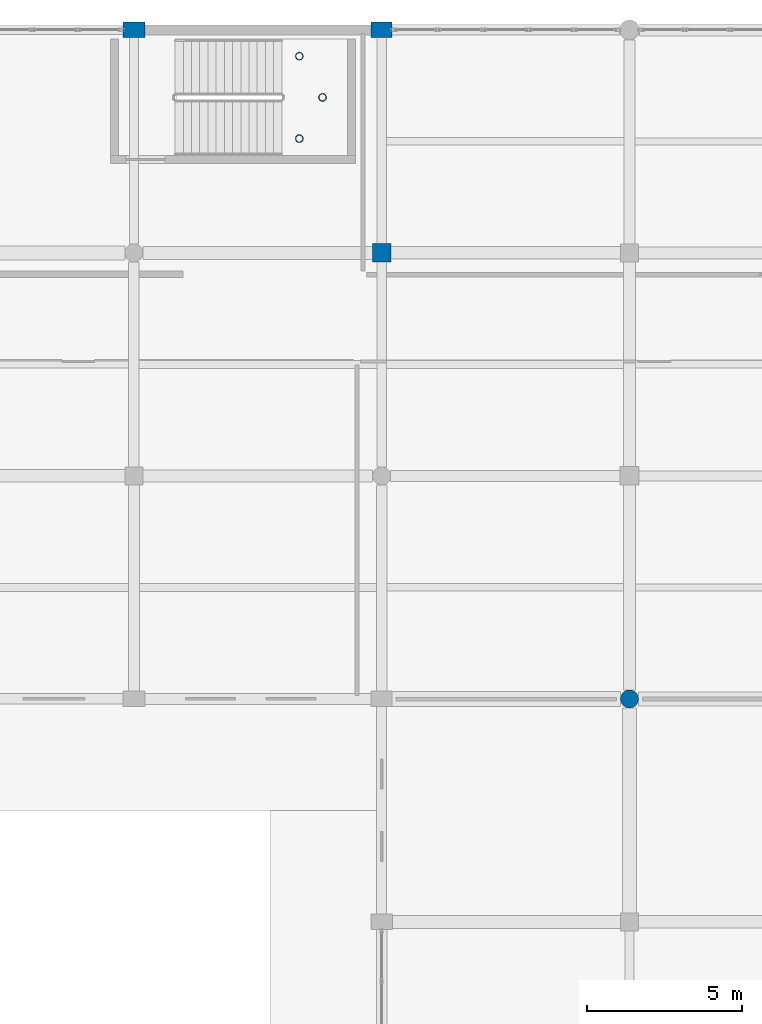
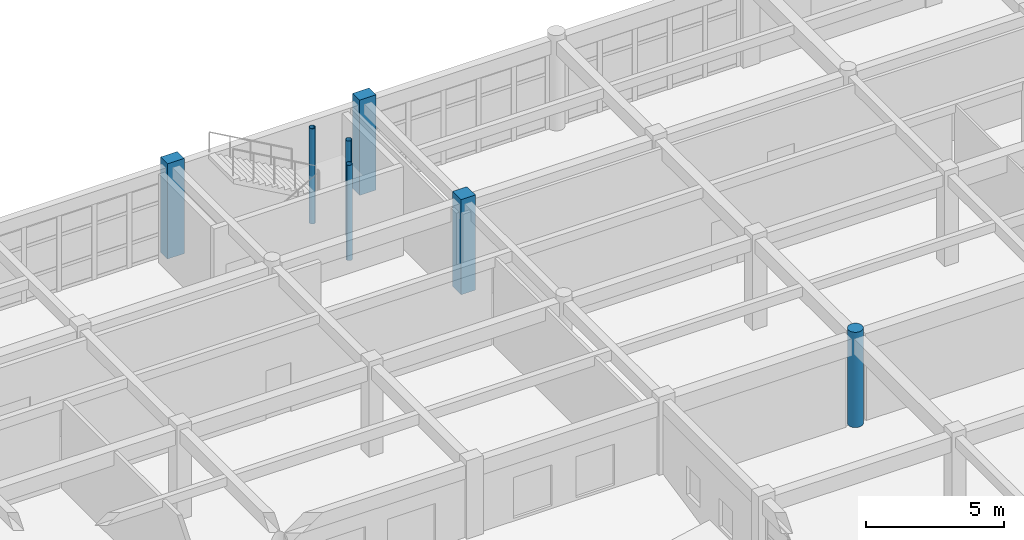
# One storey, part 8 of 121: 7 columns.
"""IFC4 building model written with IfcOpenShell, lengths in metres."""

from ifc_helpers import new_model, si_unit, direction, frame, origin, origin_2d, place, context, subcontext, project, spatial, rectangle, circle, hollow_circle, extrude, material, material_profile, profile_set, type_object, element, save


model = new_model("IFC4")

# Units and contexts
model_context = context("Model", 3, precision=1e-05, world=origin(), true_north=direction((0.0, 1.0)))
body_context = subcontext(model_context, "Body", "Model", "MODEL_VIEW")
ifc_project = project(units=[si_unit("LENGTHUNIT", "METRE"), si_unit("AREAUNIT", "SQUARE_METRE"), si_unit("VOLUMEUNIT", "CUBIC_METRE"), si_unit("PLANEANGLEUNIT", "RADIAN"), si_unit("MASSUNIT", "GRAM", prefix="KILO")], contexts=[model_context])

# Site, building, storey
site_placement = place(None, origin())
site = spatial("IfcSite", under=ifc_project, at=site_placement, CompositionType="ELEMENT")
building_placement = place(site_placement, origin())
building = spatial("IfcBuilding", under=site, at=building_placement, Name="Kharva Crest Polytechnic", CompositionType="ELEMENT")
storey_placement = place(building_placement, frame((0.0, 0.0, 13.199951171875)))
storey = spatial("IfcBuildingStorey", under=building, at=storey_placement, Name="L03", CompositionType="ELEMENT", Elevation=13.199951171875)

# Columns
ifc_material_1 = material(Name="Concrete C40/50", Category="concrete")
ifc_material_profile_1 = material_profile(ifc_material_1, rectangle(XDim=0.679931640625, YDim=0.5, at=origin_2d()), Name="RECT 680 X 500")
ifc_profile_set_1 = profile_set([ifc_material_profile_1], Name="Concrete C40/50")
column_type_1 = type_object("IfcColumnType", Name="COL-EXT-680X500", PredefinedType="COLUMN", material=ifc_profile_set_1)
column_1_placement = place(storey_placement, frame((152.800048828125, 122.0, 0.0), z_axis=(0.0, 0.0, 1.0), x_axis=(1.0, 0.0, 0.0)))
element("IfcColumn", 1, at=column_1_placement, inside=storey, type_object=column_type_1, Name="L03 Column 20/S", PredefinedType="COLUMN", context=body_context, shape_type="SweptSolid", body=[
    extrude(rectangle(XDim=0.679931640625, YDim=0.5, at=origin_2d()), origin(), (0.0, 0.0, 1.0), 4.199951171875),
])
ifc_material_profile_2 = material_profile(ifc_material_1, rectangle(XDim=0.699951171875, YDim=0.5, at=origin_2d()), Name="RECT 700 X 500")
ifc_profile_set_2 = profile_set([ifc_material_profile_2], Name="Concrete C40/50")
column_type_2 = type_object("IfcColumnType", Name="COL-EXT-700X500", PredefinedType="COLUMN", material=ifc_profile_set_2)
column_2_placement = place(storey_placement, frame((144.800048828125, 122.0, 0.0), z_axis=(0.0, 0.0, 1.0), x_axis=(1.0, 0.0, 0.0)))
element("IfcColumn", 2, at=column_2_placement, inside=storey, type_object=column_type_2, Name="L03 Column 19/S", PredefinedType="COLUMN", context=body_context, shape_type="SweptSolid", body=[
    extrude(rectangle(XDim=0.699951171875, YDim=0.5, at=origin_2d()), origin(), (0.0, 0.0, 1.0), 4.199951171875),
])
ifc_material_profile_3 = material_profile(ifc_material_1, rectangle(XDim=0.60009765625, YDim=0.60009765625, at=origin_2d()), Name="RECT 600 X 600")
ifc_profile_set_3 = profile_set([ifc_material_profile_3], Name="Concrete C40/50")
column_type_3 = type_object("IfcColumnType", Name="COL-INT-600X600", PredefinedType="COLUMN", material=ifc_profile_set_3)
column_3_placement = place(storey_placement, frame((152.800048828125, 114.800048828125, 0.0), z_axis=(0.0, 0.0, 1.0), x_axis=(1.0, 0.0, 0.0)))
element("IfcColumn", 3, at=column_3_placement, inside=storey, type_object=column_type_3, Name="L03 Column 20/R", PredefinedType="COLUMN", context=body_context, shape_type="SweptSolid", body=[
    extrude(rectangle(XDim=0.60009765625, YDim=0.60009765625, at=origin_2d()), origin(), (0.0, 0.0, 1.0), 4.199951171875),
])
ifc_material_profile_4 = material_profile(ifc_material_1, circle(Radius=0.2900390625, at=origin_2d()), Name="DIA 580")
ifc_profile_set_4 = profile_set([ifc_material_profile_4], Name="Concrete C40/50")
column_type_4 = type_object("IfcColumnType", Name="COL-INT-DIA580", PredefinedType="COLUMN", material=ifc_profile_set_4)
column_4_placement = place(storey_placement, frame((160.800048828125, 100.39990234375, 0.0), z_axis=(0.0, 0.0, 1.0), x_axis=(1.0, 0.0, 0.0)))
element("IfcColumn", 4, at=column_4_placement, inside=storey, type_object=column_type_4, Name="L03 Column 21/P", PredefinedType="COLUMN", context=body_context, shape_type="SweptSolid", body=[
    extrude(circle(Radius=0.2900390625, at=origin_2d()), origin(), (0.0, 0.0, 1.0), 4.199951171875),
])
ifc_material_2 = material(Name="Steel S355", Category="steel")
ifc_material_profile_5 = material_profile(ifc_material_2, hollow_circle(Radius=0.122314453125, WallThickness=0.010009765625, at=origin_2d()), Name="CHS 244.5X10.0")
ifc_profile_set_5 = profile_set([ifc_material_profile_5], Name="Steel S355")
column_type_5 = type_object("IfcColumnType", Name="COL-STL-CHS244", PredefinedType="COLUMN", material=ifc_profile_set_5)
for number, where, z_axis, x_axis, name in (
    (5, (150.139892578125, 118.489990234375, 0.0), (0.0, 0.0, 1.0), (1.0, 0.0, 0.0), "L03 Stair ST-09 Landing Support Column SW"),
    (6, (150.139892578125, 121.14990234375, 0.0), (0.0, 0.0, 1.0), (1.0, 0.0, 0.0), "L03 Stair ST-09 Landing Support Column NW"),
    (7, (150.889892578125, 119.820068359375, 0.0), (0.0, 0.0, 1.0), (1.0, 0.0, 0.0), "L03 Stair ST-09 Landing Support Column EM"),
):
    element("IfcColumn", number, at=place(storey_placement, frame(where, z_axis=z_axis, x_axis=x_axis)), inside=storey, type_object=column_type_5, Name=name, PredefinedType="COLUMN", context=body_context, shape_type="SweptSolid", body=[
        extrude(hollow_circle(Radius=0.122314453125, WallThickness=0.010009765625, at=origin_2d()), origin(), (0.0, 0.0, 1.0), 4.199951171875),
    ])

save(model, "model.ifc")
